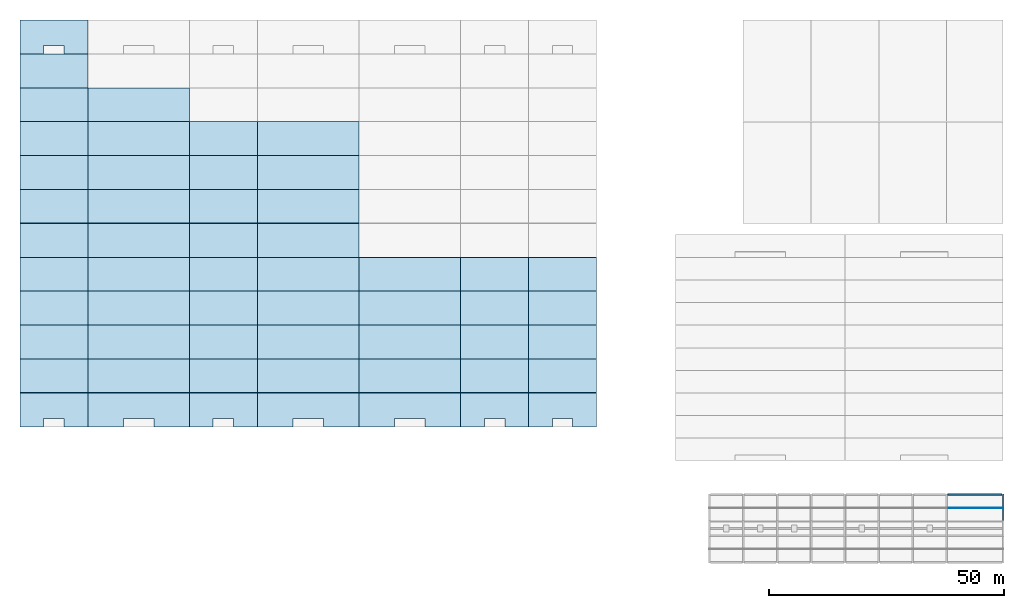
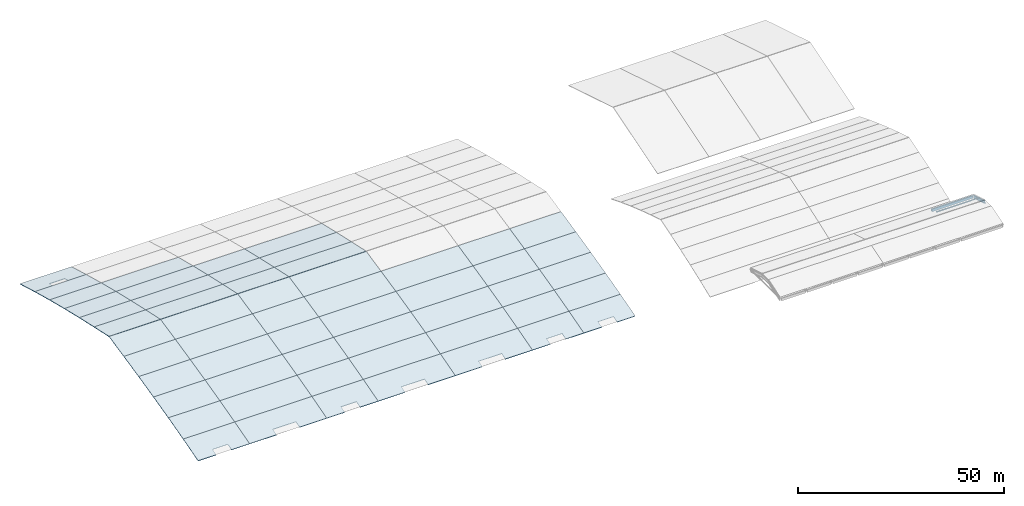
# One storey, part 2 of 7: 55 slabs, 2 beams, 1 member.
"""IFC4 building model written with IfcOpenShell, lengths in metres."""

from ifc_helpers import new_model, si_unit, direction, frame, origin, origin_2d, place, context, subcontext, project, spatial, polyline, rectangle, i_section, outline, extrude, material, layer, layer_set, material_profile, profile_set, type_object, element, save


model = new_model("IFC4")

# Units and contexts
model_context = context("Model", 3, precision=1e-05, world=origin(), true_north=direction((0.0, 1.0)))
body_context = subcontext(model_context, "Body", "Model", "MODEL_VIEW")
ifc_project = project(units=[si_unit("LENGTHUNIT", "METRE"), si_unit("AREAUNIT", "SQUARE_METRE"), si_unit("VOLUMEUNIT", "CUBIC_METRE"), si_unit("PLANEANGLEUNIT", "RADIAN"), si_unit("MASSUNIT", "GRAM", prefix="KILO")], contexts=[model_context])

# Site, building, storey
site_placement = place(None, origin())
site = spatial("IfcSite", under=ifc_project, at=site_placement, CompositionType="ELEMENT")
building_placement = place(site_placement, origin())
building = spatial("IfcBuilding", under=site, at=building_placement, Name="Cendralis Lancet Convention Centre", CompositionType="ELEMENT")
storey_placement = place(building_placement, frame((0.0, 0.0, 29.39990234375)))
storey = spatial("IfcBuildingStorey", under=building, at=storey_placement, Name="RF", CompositionType="ELEMENT", Elevation=29.39990234375)

# Beam
ifc_material_1 = material(Name="Steel S355", Category="steel")
ifc_material_profile_1 = material_profile(ifc_material_1, i_section(OverallWidth=0.320068359375, OverallDepth=0.800048828125, WebThickness=0.013916015625, FlangeThickness=0.02490234375, at=origin_2d()), Name="PG 800x320")
ifc_profile_set_1 = profile_set([ifc_material_profile_1], Name="Steel S355")
beam_type_1 = type_object("IfcBeamType", Name="STR-BM-SG06-EXT", PredefinedType="BEAM", material=ifc_profile_set_1)
beam_1_placement = place(storey_placement, frame((208.800048828125, 30.300048828125, 0.47998046875), z_axis=(0.0, 0.954549064573, -0.298053826219), x_axis=(-1.0, 0.0, 0.0)))
element("IfcBeam", 1, at=beam_1_placement, inside=storey, type_object=beam_type_1, Name="Cordillera Crown Gothic Rafter SG06 N-09", PredefinedType="BEAM", context=body_context, shape_type="SweptSolid", body=[
    extrude(i_section(OverallWidth=0.320068359375, OverallDepth=0.800048828125, WebThickness=0.013916015625, FlangeThickness=0.02490234375, at=origin_2d()), origin(), (0.0, 0.0, 1.0), 5.971435546875),
])

# Member
ifc_material_profile_2 = material_profile(ifc_material_1, i_section(OverallWidth=0.10009765625, OverallDepth=0.199951171875, WebThickness=0.005615234375, FlangeThickness=0.008544921875, FilletRadius=0.011962890625, at=origin_2d()), Name="IPE 200")
ifc_profile_set_2 = profile_set([ifc_material_profile_2], Name="Steel S355")
member_type = type_object("IfcMemberType", Name="STR-PR-PR05", PredefinedType="PURLIN", material=ifc_profile_set_2)
member_placement = place(storey_placement, frame((196.800048828125, 33.14990234375, 0.050048828125), z_axis=(1.0, 0.0, 0.0), x_axis=(0.0, 1.0, 0.0)))
element("IfcMember", 2, at=member_placement, inside=storey, type_object=member_type, Name="Cordillera Crown Roof Purlin PR05 197-33.1", PredefinedType="PURLIN", context=body_context, shape_type="SweptSolid", body=[
    extrude(i_section(OverallWidth=0.10009765625, OverallDepth=0.199951171875, WebThickness=0.005615234375, FlangeThickness=0.008544921875, FilletRadius=0.011962890625, at=origin_2d()), origin(), (0.0, 0.0, 1.0), 12.0),
])

# Beam
ifc_material_2 = material(Name="Concrete G40 (C40/50)", Category="concrete")
ifc_material_profile_3 = material_profile(ifc_material_2, rectangle(XDim=0.35009765625, YDim=0.75, at=origin_2d()), Name="RCB 350x750")
ifc_profile_set_3 = profile_set([ifc_material_profile_3], Name="Concrete G40 (C40/50)")
beam_type_2 = type_object("IfcBeamType", Name="STR-SP-SP01", PredefinedType="SPANDREL", material=ifc_profile_set_3)
beam_2_placement = place(storey_placement, frame((197.050048828125, 36.0, -1.27490234375), z_axis=(1.0, 0.0, 0.0), x_axis=(0.0, 1.0, 0.0)))
element("IfcBeam", 3, at=beam_2_placement, inside=storey, type_object=beam_type_2, Name="RF Beam SP01 #1833", PredefinedType="SPANDREL", context=body_context, shape_type="SweptSolid", body=[
    extrude(rectangle(XDim=0.35009765625, YDim=0.75, at=origin_2d()), origin(), (0.0, 0.0, 1.0), 11.5),
])

# Slabs
ifc_layer = layer(ifc_material_1, 0.159912109375, Name="Steel S355")
ifc_layer_set = layer_set([ifc_layer], Name="Steel S355")
slab_type = type_object("IfcSlabType", Name="STR-SL-VR16", PredefinedType="ROOF", material=ifc_layer_set)
slab_1_placement = place(storey_placement, frame((0.0, 50.39990234375, -15.175537109375), z_axis=(0.0, -0.274652229143, 0.961543630329), x_axis=(1.0, 0.0, 0.0)))
element("IfcSlab", 4, at=slab_1_placement, inside=storey, type_object=slab_type, Name="V1 Vault Roof Deck Slab 01-00", PredefinedType="ROOF", context=body_context, shape_type="SweptSolid", body=[
    extrude(outline(polyline([(0.0, 0.0), (5.0400390625, 0.0), (5.0400390625, 1.8720407180158263), (9.360107421875, 1.8720407180158263), (9.360107421875, 0.0), (14.39990234375, 0.0), (14.39990234375, 7.488162872063305), (0.0, 7.488162872063305), (0.0, 0.0)])), origin(), (0.0, 0.0, -1.0), 0.159912109375),
])
slab_2_placement = place(storey_placement, frame((0.0, 57.60009765625, -13.11962890625), z_axis=(0.0, -0.257623904458, 0.966245271063), x_axis=(1.0, 0.0, 0.0)))
element("IfcSlab", 5, at=slab_2_placement, inside=storey, type_object=slab_type, Name="V1 Vault Roof Deck Slab 01-01", PredefinedType="ROOF", context=body_context, shape_type="SweptSolid", body=[
    extrude(outline(polyline([(0.0, 0.0), (14.39990234375, 0.0), (14.39990234375, 7.451473644940263), (0.0, 7.451473644940263), (0.0, 0.0)])), origin(), (0.0, 0.0, -1.0), 0.159912109375),
])
slab_3_placement = place(storey_placement, frame((0.0, 64.800048828125, -11.20068359375), z_axis=(0.0, -0.241645185965, 0.970364675831), x_axis=(1.0, 0.0, 0.0)))
element("IfcSlab", 6, at=slab_3_placement, inside=storey, type_object=slab_type, Name="V1 Vault Roof Deck Slab 01-02", PredefinedType="ROOF", context=body_context, shape_type="SweptSolid", body=[
    extrude(outline(polyline([(0.0, 0.0), (14.39990234375, 0.0), (14.39990234375, 7.419840551916243), (0.0, 7.419840551916243), (0.0, 0.0)])), origin(), (0.0, 0.0, -1.0), 0.159912109375),
])
slab_4_placement = place(storey_placement, frame((0.0, 72.0, -9.408203125), z_axis=(0.0, -0.228192789739, 0.97361596675), x_axis=(1.0, 0.0, 0.0)))
element("IfcSlab", 7, at=slab_4_placement, inside=storey, type_object=slab_type, Name="V1 Vault Roof Deck Slab 01-03", PredefinedType="ROOF", context=body_context, shape_type="SweptSolid", body=[
    extrude(outline(polyline([(0.0, 0.0), (14.39990234375, 0.0), (14.39990234375, 7.395062753444637), (0.0, 7.395062753444637), (0.0, 0.0)])), origin(), (0.0, 0.0, -1.0), 0.159912109375),
])
slab_5_placement = place(storey_placement, frame((0.0, 79.199951171875, -7.72119140625), z_axis=(0.0, -0.217354480974, 0.976092736168), x_axis=(1.0, 0.0, 0.0)))
element("IfcSlab", 8, at=slab_5_placement, inside=storey, type_object=slab_type, Name="V1 Vault Roof Deck Slab 01-04", PredefinedType="ROOF", context=body_context, shape_type="SweptSolid", body=[
    extrude(outline(polyline([(0.0, 0.0), (14.39990234375, 0.0), (14.39990234375, 7.376298280980387), (0.0, 7.376298280980387), (0.0, 0.0)])), origin(), (0.0, 0.0, -1.0), 0.159912109375),
])
for number, where, z_axis, x_axis, name in (
    (9, (0.0, 86.39990234375, -6.1181640625), (0.0, -0.21070143879, 0.977550460944), (1.0, 0.0, 0.0), "V1 Vault Roof Deck Slab 01-05"),
    (10, (0.0, 93.655029296875, -4.578125), (0.0, 0.21070143879, 0.977550460944), (1.0, 0.0, 0.0), "V1 Vault Roof Deck Slab 01-06"),
):
    element("IfcSlab", number, at=place(storey_placement, frame(where, z_axis=z_axis, x_axis=x_axis)), inside=storey, type_object=slab_type, Name=name, PredefinedType="ROOF", context=body_context, shape_type="SweptSolid", body=[
        extrude(outline(polyline([(0.0, 0.0), (14.39990234375, 0.0), (14.39990234375, 7.309105582488862), (0.0, 7.309105582488862), (0.0, 0.0)])), origin(), (0.0, 0.0, -1.0), 0.159912109375),
    ])
slab_6_placement = place(storey_placement, frame((0.0, 100.800048828125, -6.117919921875), z_axis=(0.0, 0.217354480974, 0.976092736168), x_axis=(1.0, 0.0, 0.0)))
element("IfcSlab", 11, at=slab_6_placement, inside=storey, type_object=slab_type, Name="V1 Vault Roof Deck Slab 01-07", PredefinedType="ROOF", context=body_context, shape_type="SweptSolid", body=[
    extrude(outline(polyline([(0.0, 0.0), (14.39990234375, 0.0), (14.39990234375, 7.376298280980387), (0.0, 7.376298280980387), (0.0, 0.0)])), origin(), (0.0, 0.0, -1.0), 0.159912109375),
])
slab_7_placement = place(storey_placement, frame((0.0, 108.0, -7.720703125), z_axis=(0.0, 0.228192789739, 0.97361596675), x_axis=(1.0, 0.0, 0.0)))
element("IfcSlab", 12, at=slab_7_placement, inside=storey, type_object=slab_type, Name="V1 Vault Roof Deck Slab 01-08", PredefinedType="ROOF", context=body_context, shape_type="SweptSolid", body=[
    extrude(outline(polyline([(0.0, 0.0), (14.39990234375, 0.0), (14.39990234375, 7.395062753444637), (0.0, 7.395062753444637), (0.0, 0.0)])), origin(), (0.0, 0.0, -1.0), 0.159912109375),
])
slab_8_placement = place(storey_placement, frame((0.0, 115.199951171875, -9.40771484375), z_axis=(0.0, 0.241645185965, 0.970364675831), x_axis=(1.0, 0.0, 0.0)))
element("IfcSlab", 13, at=slab_8_placement, inside=storey, type_object=slab_type, Name="V1 Vault Roof Deck Slab 01-09", PredefinedType="ROOF", context=body_context, shape_type="SweptSolid", body=[
    extrude(outline(polyline([(0.0, 0.0), (14.39990234375, 0.0), (14.39990234375, 7.419840551916243), (0.0, 7.419840551916243), (0.0, 0.0)])), origin(), (0.0, 0.0, -1.0), 0.159912109375),
])
slab_9_placement = place(storey_placement, frame((0.0, 122.39990234375, -11.199951171875), z_axis=(0.0, 0.257615748816, 0.966247445514), x_axis=(1.0, 0.0, 0.0)))
element("IfcSlab", 14, at=slab_9_placement, inside=storey, type_object=slab_type, Name="V1 Vault Roof Deck Slab 01-10", PredefinedType="ROOF", context=body_context, shape_type="SweptSolid", body=[
    extrude(outline(polyline([(0.0, 0.0), (14.39990234375, 0.0), (14.39990234375, 7.4517095449300825), (0.0, 7.4517095449300825), (0.0, 0.0)])), origin(), (0.0, 0.0, -1.0), 0.159912109375),
])
slab_10_placement = place(storey_placement, frame((0.0, 129.60009765625, -13.118896484375), z_axis=(0.0, 0.274658745122, 0.961541769102), x_axis=(1.0, 0.0, 0.0)))
element("IfcSlab", 15, at=slab_10_placement, inside=storey, type_object=slab_type, Name="V1 Vault Roof Deck Slab 01-11", PredefinedType="ROOF", context=body_context, shape_type="SweptSolid", body=[
    extrude(outline(polyline([(0.0, 0.0), (5.0400390625, 0.0), (5.0400390625, 1.8718059665643698), (9.360107421875, 1.8718059665643698), (9.360107421875, 0.0), (14.39990234375, 0.0), (14.39990234375, 7.487928120482896), (0.0, 7.487928120482896), (0.0, 0.0)])), origin(), (0.0, 0.0, -1.0), 0.159912109375),
])
slab_11_placement = place(storey_placement, frame((14.39990234375, 50.39990234375, -15.175537109375), z_axis=(0.0, -0.274652229143, 0.961543630329), x_axis=(1.0, 0.0, 0.0)))
element("IfcSlab", 16, at=slab_11_placement, inside=storey, type_object=slab_type, Name="V1 Vault Roof Deck Slab 02-00", PredefinedType="ROOF", context=body_context, shape_type="SweptSolid", body=[
    extrude(outline(polyline([(0.0, 0.0), (7.56005859375, 0.0), (7.56005859375, 1.8720407180158263), (14.0400390625, 1.8720407180158263), (14.0400390625, 0.0), (21.60009765625, 0.0), (21.60009765625, 7.488162872063305), (0.0, 7.488162872063305), (0.0, 0.0)])), origin(), (0.0, 0.0, -1.0), 0.159912109375),
])
slab_12_placement = place(storey_placement, frame((14.39990234375, 57.60009765625, -13.11962890625), z_axis=(0.0, -0.257623904458, 0.966245271063), x_axis=(1.0, 0.0, 0.0)))
element("IfcSlab", 17, at=slab_12_placement, inside=storey, type_object=slab_type, Name="V1 Vault Roof Deck Slab 02-01", PredefinedType="ROOF", context=body_context, shape_type="SweptSolid", body=[
    extrude(outline(polyline([(0.0, 0.0), (21.60009765625, 0.0), (21.60009765625, 7.451473644940264), (0.0, 7.451473644940264), (0.0, 0.0)])), origin(), (0.0, 0.0, -1.0), 0.159912109375),
])
slab_13_placement = place(storey_placement, frame((14.39990234375, 64.800048828125, -11.20068359375), z_axis=(0.0, -0.241645185965, 0.970364675831), x_axis=(1.0, 0.0, 0.0)))
element("IfcSlab", 18, at=slab_13_placement, inside=storey, type_object=slab_type, Name="V1 Vault Roof Deck Slab 02-02", PredefinedType="ROOF", context=body_context, shape_type="SweptSolid", body=[
    extrude(outline(polyline([(0.0, 0.0), (21.60009765625, 0.0), (21.60009765625, 7.419840551916243), (0.0, 7.419840551916243), (0.0, 0.0)])), origin(), (0.0, 0.0, -1.0), 0.159912109375),
])
slab_14_placement = place(storey_placement, frame((14.39990234375, 72.0, -9.408203125), z_axis=(0.0, -0.228192789739, 0.97361596675), x_axis=(1.0, 0.0, 0.0)))
element("IfcSlab", 19, at=slab_14_placement, inside=storey, type_object=slab_type, Name="V1 Vault Roof Deck Slab 02-03", PredefinedType="ROOF", context=body_context, shape_type="SweptSolid", body=[
    extrude(outline(polyline([(0.0, 0.0), (21.60009765625, 0.0), (21.60009765625, 7.395062753444637), (0.0, 7.395062753444637), (0.0, 0.0)])), origin(), (0.0, 0.0, -1.0), 0.159912109375),
])
slab_15_placement = place(storey_placement, frame((14.39990234375, 79.199951171875, -7.72119140625), z_axis=(0.0, -0.217354480974, 0.976092736168), x_axis=(1.0, 0.0, 0.0)))
element("IfcSlab", 20, at=slab_15_placement, inside=storey, type_object=slab_type, Name="V1 Vault Roof Deck Slab 02-04", PredefinedType="ROOF", context=body_context, shape_type="SweptSolid", body=[
    extrude(outline(polyline([(0.0, 0.0), (21.60009765625, 0.0), (21.60009765625, 7.376298280980386), (0.0, 7.376298280980386), (0.0, 0.0)])), origin(), (0.0, 0.0, -1.0), 0.159912109375),
])
for number, where, z_axis, x_axis, name in (
    (21, (14.39990234375, 86.39990234375, -6.1181640625), (0.0, -0.21070143879, 0.977550460944), (1.0, 0.0, 0.0), "V1 Vault Roof Deck Slab 02-05"),
    (22, (14.39990234375, 93.655029296875, -4.578125), (0.0, 0.21070143879, 0.977550460944), (1.0, 0.0, 0.0), "V1 Vault Roof Deck Slab 02-06"),
):
    element("IfcSlab", number, at=place(storey_placement, frame(where, z_axis=z_axis, x_axis=x_axis)), inside=storey, type_object=slab_type, Name=name, PredefinedType="ROOF", context=body_context, shape_type="SweptSolid", body=[
        extrude(outline(polyline([(0.0, 0.0), (21.60009765625, 0.0), (21.60009765625, 7.309105582488862), (0.0, 7.309105582488862), (0.0, 0.0)])), origin(), (0.0, 0.0, -1.0), 0.159912109375),
    ])
slab_16_placement = place(storey_placement, frame((14.39990234375, 100.800048828125, -6.117919921875), z_axis=(0.0, 0.217354480974, 0.976092736168), x_axis=(1.0, 0.0, 0.0)))
element("IfcSlab", 23, at=slab_16_placement, inside=storey, type_object=slab_type, Name="V1 Vault Roof Deck Slab 02-07", PredefinedType="ROOF", context=body_context, shape_type="SweptSolid", body=[
    extrude(outline(polyline([(0.0, 0.0), (21.60009765625, 0.0), (21.60009765625, 7.376298280980386), (0.0, 7.376298280980386), (0.0, 0.0)])), origin(), (0.0, 0.0, -1.0), 0.159912109375),
])
slab_17_placement = place(storey_placement, frame((14.39990234375, 108.0, -7.720703125), z_axis=(0.0, 0.228192789739, 0.97361596675), x_axis=(1.0, 0.0, 0.0)))
element("IfcSlab", 24, at=slab_17_placement, inside=storey, type_object=slab_type, Name="V1 Vault Roof Deck Slab 02-08", PredefinedType="ROOF", context=body_context, shape_type="SweptSolid", body=[
    extrude(outline(polyline([(0.0, 0.0), (21.60009765625, 0.0), (21.60009765625, 7.395062753444637), (0.0, 7.395062753444637), (0.0, 0.0)])), origin(), (0.0, 0.0, -1.0), 0.159912109375),
])
slab_18_placement = place(storey_placement, frame((14.39990234375, 115.199951171875, -9.40771484375), z_axis=(0.0, 0.241645185965, 0.970364675831), x_axis=(1.0, 0.0, 0.0)))
element("IfcSlab", 25, at=slab_18_placement, inside=storey, type_object=slab_type, Name="V1 Vault Roof Deck Slab 02-09", PredefinedType="ROOF", context=body_context, shape_type="SweptSolid", body=[
    extrude(outline(polyline([(0.0, 0.0), (21.60009765625, 0.0), (21.60009765625, 7.419840551916243), (0.0, 7.419840551916243), (0.0, 0.0)])), origin(), (0.0, 0.0, -1.0), 0.159912109375),
])
slab_19_placement = place(storey_placement, frame((36.0, 50.39990234375, -15.175537109375), z_axis=(0.0, -0.274652229143, 0.961543630329), x_axis=(1.0, 0.0, 0.0)))
element("IfcSlab", 26, at=slab_19_placement, inside=storey, type_object=slab_type, Name="V1 Vault Roof Deck Slab 03-00", PredefinedType="ROOF", context=body_context, shape_type="SweptSolid", body=[
    extrude(outline(polyline([(0.0, 0.0), (5.0400390625, 0.0), (5.0400390625, 1.8720407180158263), (9.360107421875, 1.8720407180158263), (9.360107421875, 0.0), (14.39990234375, 0.0), (14.39990234375, 7.488162872063305), (0.0, 7.488162872063305), (0.0, 0.0)])), origin(), (0.0, 0.0, -1.0), 0.159912109375),
])
slab_20_placement = place(storey_placement, frame((36.0, 57.60009765625, -13.11962890625), z_axis=(0.0, -0.257623904458, 0.966245271063), x_axis=(1.0, 0.0, 0.0)))
element("IfcSlab", 27, at=slab_20_placement, inside=storey, type_object=slab_type, Name="V1 Vault Roof Deck Slab 03-01", PredefinedType="ROOF", context=body_context, shape_type="SweptSolid", body=[
    extrude(outline(polyline([(0.0, 0.0), (14.39990234375, 0.0), (14.39990234375, 7.451473644940263), (0.0, 7.451473644940263), (0.0, 0.0)])), origin(), (0.0, 0.0, -1.0), 0.159912109375),
])
slab_21_placement = place(storey_placement, frame((36.0, 64.800048828125, -11.20068359375), z_axis=(0.0, -0.241645185965, 0.970364675831), x_axis=(1.0, 0.0, 0.0)))
element("IfcSlab", 28, at=slab_21_placement, inside=storey, type_object=slab_type, Name="V1 Vault Roof Deck Slab 03-02", PredefinedType="ROOF", context=body_context, shape_type="SweptSolid", body=[
    extrude(outline(polyline([(0.0, 0.0), (14.39990234375, 0.0), (14.39990234375, 7.419840551916243), (0.0, 7.419840551916243), (0.0, 0.0)])), origin(), (0.0, 0.0, -1.0), 0.159912109375),
])
slab_22_placement = place(storey_placement, frame((36.0, 72.0, -9.408203125), z_axis=(0.0, -0.228192789739, 0.97361596675), x_axis=(1.0, 0.0, 0.0)))
element("IfcSlab", 29, at=slab_22_placement, inside=storey, type_object=slab_type, Name="V1 Vault Roof Deck Slab 03-03", PredefinedType="ROOF", context=body_context, shape_type="SweptSolid", body=[
    extrude(outline(polyline([(0.0, 0.0), (14.39990234375, 0.0), (14.39990234375, 7.395062753444637), (0.0, 7.395062753444637), (0.0, 0.0)])), origin(), (0.0, 0.0, -1.0), 0.159912109375),
])
slab_23_placement = place(storey_placement, frame((36.0, 79.199951171875, -7.72119140625), z_axis=(0.0, -0.217354480974, 0.976092736168), x_axis=(1.0, 0.0, 0.0)))
element("IfcSlab", 30, at=slab_23_placement, inside=storey, type_object=slab_type, Name="V1 Vault Roof Deck Slab 03-04", PredefinedType="ROOF", context=body_context, shape_type="SweptSolid", body=[
    extrude(outline(polyline([(0.0, 0.0), (14.39990234375, 0.0), (14.39990234375, 7.376298280980387), (0.0, 7.376298280980387), (0.0, 0.0)])), origin(), (0.0, 0.0, -1.0), 0.159912109375),
])
for number, where, z_axis, x_axis, name in (
    (31, (36.0, 86.39990234375, -6.1181640625), (0.0, -0.21070143879, 0.977550460944), (1.0, 0.0, 0.0), "V1 Vault Roof Deck Slab 03-05"),
    (32, (36.0, 93.655029296875, -4.578125), (0.0, 0.21070143879, 0.977550460944), (1.0, 0.0, 0.0), "V1 Vault Roof Deck Slab 03-06"),
):
    element("IfcSlab", number, at=place(storey_placement, frame(where, z_axis=z_axis, x_axis=x_axis)), inside=storey, type_object=slab_type, Name=name, PredefinedType="ROOF", context=body_context, shape_type="SweptSolid", body=[
        extrude(outline(polyline([(0.0, 0.0), (14.39990234375, 0.0), (14.39990234375, 7.309105582488862), (0.0, 7.309105582488862), (0.0, 0.0)])), origin(), (0.0, 0.0, -1.0), 0.159912109375),
    ])
slab_24_placement = place(storey_placement, frame((36.0, 100.800048828125, -6.117919921875), z_axis=(0.0, 0.217354480974, 0.976092736168), x_axis=(1.0, 0.0, 0.0)))
element("IfcSlab", 33, at=slab_24_placement, inside=storey, type_object=slab_type, Name="V1 Vault Roof Deck Slab 03-07", PredefinedType="ROOF", context=body_context, shape_type="SweptSolid", body=[
    extrude(outline(polyline([(0.0, 0.0), (14.39990234375, 0.0), (14.39990234375, 7.376298280980387), (0.0, 7.376298280980387), (0.0, 0.0)])), origin(), (0.0, 0.0, -1.0), 0.159912109375),
])
slab_25_placement = place(storey_placement, frame((36.0, 108.0, -7.720703125), z_axis=(0.0, 0.228192789739, 0.97361596675), x_axis=(1.0, 0.0, 0.0)))
element("IfcSlab", 34, at=slab_25_placement, inside=storey, type_object=slab_type, Name="V1 Vault Roof Deck Slab 03-08", PredefinedType="ROOF", context=body_context, shape_type="SweptSolid", body=[
    extrude(outline(polyline([(0.0, 0.0), (14.39990234375, 0.0), (14.39990234375, 7.395062753444637), (0.0, 7.395062753444637), (0.0, 0.0)])), origin(), (0.0, 0.0, -1.0), 0.159912109375),
])
slab_26_placement = place(storey_placement, frame((50.39990234375, 50.39990234375, -15.175537109375), z_axis=(0.0, -0.274652229143, 0.961543630329), x_axis=(1.0, 0.0, 0.0)))
element("IfcSlab", 35, at=slab_26_placement, inside=storey, type_object=slab_type, Name="V1 Vault Roof Deck Slab 04-00", PredefinedType="ROOF", context=body_context, shape_type="SweptSolid", body=[
    extrude(outline(polyline([(0.0, 0.0), (7.56005859375, 0.0), (7.56005859375, 1.8720407180158263), (14.0400390625, 1.8720407180158263), (14.0400390625, 0.0), (21.60009765625, 0.0), (21.60009765625, 7.488162872063305), (0.0, 7.488162872063305), (0.0, 0.0)])), origin(), (0.0, 0.0, -1.0), 0.159912109375),
])
slab_27_placement = place(storey_placement, frame((50.39990234375, 57.60009765625, -13.11962890625), z_axis=(0.0, -0.257623904458, 0.966245271063), x_axis=(1.0, 0.0, 0.0)))
element("IfcSlab", 36, at=slab_27_placement, inside=storey, type_object=slab_type, Name="V1 Vault Roof Deck Slab 04-01", PredefinedType="ROOF", context=body_context, shape_type="SweptSolid", body=[
    extrude(outline(polyline([(0.0, 0.0), (21.60009765625, 0.0), (21.60009765625, 7.451473644940264), (0.0, 7.451473644940264), (0.0, 0.0)])), origin(), (0.0, 0.0, -1.0), 0.159912109375),
])
slab_28_placement = place(storey_placement, frame((50.39990234375, 64.800048828125, -11.20068359375), z_axis=(0.0, -0.241645185965, 0.970364675831), x_axis=(1.0, 0.0, 0.0)))
element("IfcSlab", 37, at=slab_28_placement, inside=storey, type_object=slab_type, Name="V1 Vault Roof Deck Slab 04-02", PredefinedType="ROOF", context=body_context, shape_type="SweptSolid", body=[
    extrude(outline(polyline([(0.0, 0.0), (21.60009765625, 0.0), (21.60009765625, 7.419840551916243), (0.0, 7.419840551916243), (0.0, 0.0)])), origin(), (0.0, 0.0, -1.0), 0.159912109375),
])
slab_29_placement = place(storey_placement, frame((50.39990234375, 72.0, -9.408203125), z_axis=(0.0, -0.228192789739, 0.97361596675), x_axis=(1.0, 0.0, 0.0)))
element("IfcSlab", 38, at=slab_29_placement, inside=storey, type_object=slab_type, Name="V1 Vault Roof Deck Slab 04-03", PredefinedType="ROOF", context=body_context, shape_type="SweptSolid", body=[
    extrude(outline(polyline([(0.0, 0.0), (21.60009765625, 0.0), (21.60009765625, 7.395062753444637), (0.0, 7.395062753444637), (0.0, 0.0)])), origin(), (0.0, 0.0, -1.0), 0.159912109375),
])
slab_30_placement = place(storey_placement, frame((50.39990234375, 79.199951171875, -7.72119140625), z_axis=(0.0, -0.217354480974, 0.976092736168), x_axis=(1.0, 0.0, 0.0)))
element("IfcSlab", 39, at=slab_30_placement, inside=storey, type_object=slab_type, Name="V1 Vault Roof Deck Slab 04-04", PredefinedType="ROOF", context=body_context, shape_type="SweptSolid", body=[
    extrude(outline(polyline([(0.0, 0.0), (21.60009765625, 0.0), (21.60009765625, 7.376298280980386), (0.0, 7.376298280980386), (0.0, 0.0)])), origin(), (0.0, 0.0, -1.0), 0.159912109375),
])
for number, where, z_axis, x_axis, name in (
    (40, (50.39990234375, 86.39990234375, -6.1181640625), (0.0, -0.21070143879, 0.977550460944), (1.0, 0.0, 0.0), "V1 Vault Roof Deck Slab 04-05"),
    (41, (50.39990234375, 93.655029296875, -4.578125), (0.0, 0.21070143879, 0.977550460944), (1.0, 0.0, 0.0), "V1 Vault Roof Deck Slab 04-06"),
):
    element("IfcSlab", number, at=place(storey_placement, frame(where, z_axis=z_axis, x_axis=x_axis)), inside=storey, type_object=slab_type, Name=name, PredefinedType="ROOF", context=body_context, shape_type="SweptSolid", body=[
        extrude(outline(polyline([(0.0, 0.0), (21.60009765625, 0.0), (21.60009765625, 7.309105582488862), (0.0, 7.309105582488862), (0.0, 0.0)])), origin(), (0.0, 0.0, -1.0), 0.159912109375),
    ])
slab_31_placement = place(storey_placement, frame((50.39990234375, 100.800048828125, -6.117919921875), z_axis=(0.0, 0.217354480974, 0.976092736168), x_axis=(1.0, 0.0, 0.0)))
element("IfcSlab", 42, at=slab_31_placement, inside=storey, type_object=slab_type, Name="V1 Vault Roof Deck Slab 04-07", PredefinedType="ROOF", context=body_context, shape_type="SweptSolid", body=[
    extrude(outline(polyline([(0.0, 0.0), (21.60009765625, 0.0), (21.60009765625, 7.376298280980386), (0.0, 7.376298280980386), (0.0, 0.0)])), origin(), (0.0, 0.0, -1.0), 0.159912109375),
])
slab_32_placement = place(storey_placement, frame((50.39990234375, 108.0, -7.720703125), z_axis=(0.0, 0.228192789739, 0.97361596675), x_axis=(1.0, 0.0, 0.0)))
element("IfcSlab", 43, at=slab_32_placement, inside=storey, type_object=slab_type, Name="V1 Vault Roof Deck Slab 04-08", PredefinedType="ROOF", context=body_context, shape_type="SweptSolid", body=[
    extrude(outline(polyline([(0.0, 0.0), (21.60009765625, 0.0), (21.60009765625, 7.395062753444637), (0.0, 7.395062753444637), (0.0, 0.0)])), origin(), (0.0, 0.0, -1.0), 0.159912109375),
])
slab_33_placement = place(storey_placement, frame((72.0, 50.39990234375, -15.175537109375), z_axis=(0.0, -0.274652229143, 0.961543630329), x_axis=(1.0, 0.0, 0.0)))
element("IfcSlab", 44, at=slab_33_placement, inside=storey, type_object=slab_type, Name="V1 Vault Roof Deck Slab 05-00", PredefinedType="ROOF", context=body_context, shape_type="SweptSolid", body=[
    extrude(outline(polyline([(0.0, 0.0), (7.56005859375, 0.0), (7.56005859375, 1.8720407180158263), (14.0400390625, 1.8720407180158263), (14.0400390625, 0.0), (21.60009765625, 0.0), (21.60009765625, 7.488162872063305), (0.0, 7.488162872063305), (0.0, 0.0)])), origin(), (0.0, 0.0, -1.0), 0.159912109375),
])
slab_34_placement = place(storey_placement, frame((72.0, 57.60009765625, -13.11962890625), z_axis=(0.0, -0.257623904458, 0.966245271063), x_axis=(1.0, 0.0, 0.0)))
element("IfcSlab", 45, at=slab_34_placement, inside=storey, type_object=slab_type, Name="V1 Vault Roof Deck Slab 05-01", PredefinedType="ROOF", context=body_context, shape_type="SweptSolid", body=[
    extrude(outline(polyline([(0.0, 0.0), (21.60009765625, 0.0), (21.60009765625, 7.451473644940264), (0.0, 7.451473644940264), (0.0, 0.0)])), origin(), (0.0, 0.0, -1.0), 0.159912109375),
])
slab_35_placement = place(storey_placement, frame((72.0, 64.800048828125, -11.20068359375), z_axis=(0.0, -0.241645185965, 0.970364675831), x_axis=(1.0, 0.0, 0.0)))
element("IfcSlab", 46, at=slab_35_placement, inside=storey, type_object=slab_type, Name="V1 Vault Roof Deck Slab 05-02", PredefinedType="ROOF", context=body_context, shape_type="SweptSolid", body=[
    extrude(outline(polyline([(0.0, 0.0), (21.60009765625, 0.0), (21.60009765625, 7.419840551916243), (0.0, 7.419840551916243), (0.0, 0.0)])), origin(), (0.0, 0.0, -1.0), 0.159912109375),
])
slab_36_placement = place(storey_placement, frame((72.0, 72.0, -9.408203125), z_axis=(0.0, -0.228192789739, 0.97361596675), x_axis=(1.0, 0.0, 0.0)))
element("IfcSlab", 47, at=slab_36_placement, inside=storey, type_object=slab_type, Name="V1 Vault Roof Deck Slab 05-03", PredefinedType="ROOF", context=body_context, shape_type="SweptSolid", body=[
    extrude(outline(polyline([(0.0, 0.0), (21.60009765625, 0.0), (21.60009765625, 7.395062753444637), (0.0, 7.395062753444637), (0.0, 0.0)])), origin(), (0.0, 0.0, -1.0), 0.159912109375),
])
slab_37_placement = place(storey_placement, frame((72.0, 79.199951171875, -7.72119140625), z_axis=(0.0, -0.217354480974, 0.976092736168), x_axis=(1.0, 0.0, 0.0)))
element("IfcSlab", 48, at=slab_37_placement, inside=storey, type_object=slab_type, Name="V1 Vault Roof Deck Slab 05-04", PredefinedType="ROOF", context=body_context, shape_type="SweptSolid", body=[
    extrude(outline(polyline([(0.0, 0.0), (21.60009765625, 0.0), (21.60009765625, 7.376298280980386), (0.0, 7.376298280980386), (0.0, 0.0)])), origin(), (0.0, 0.0, -1.0), 0.159912109375),
])
slab_38_placement = place(storey_placement, frame((93.60009765625, 50.39990234375, -15.175537109375), z_axis=(0.0, -0.274652229143, 0.961543630329), x_axis=(1.0, 0.0, 0.0)))
element("IfcSlab", 49, at=slab_38_placement, inside=storey, type_object=slab_type, Name="V1 Vault Roof Deck Slab 06-00", PredefinedType="ROOF", context=body_context, shape_type="SweptSolid", body=[
    extrude(outline(polyline([(0.0, 0.0), (5.039794921875, 0.0), (5.039794921875, 1.8720407180158263), (9.35986328125, 1.8720407180158263), (9.35986328125, 0.0), (14.39990234375, 0.0), (14.39990234375, 7.488162872063305), (0.0, 7.488162872063305), (0.0, 0.0)])), origin(), (0.0, 0.0, -1.0), 0.159912109375),
])
slab_39_placement = place(storey_placement, frame((93.60009765625, 57.60009765625, -13.11962890625), z_axis=(0.0, -0.257623904458, 0.966245271063), x_axis=(1.0, 0.0, 0.0)))
element("IfcSlab", 50, at=slab_39_placement, inside=storey, type_object=slab_type, Name="V1 Vault Roof Deck Slab 06-01", PredefinedType="ROOF", context=body_context, shape_type="SweptSolid", body=[
    extrude(outline(polyline([(0.0, 0.0), (14.39990234375, 0.0), (14.39990234375, 7.451473644940263), (0.0, 7.451473644940263), (0.0, 0.0)])), origin(), (0.0, 0.0, -1.0), 0.159912109375),
])
slab_40_placement = place(storey_placement, frame((93.60009765625, 64.800048828125, -11.20068359375), z_axis=(0.0, -0.241645185965, 0.970364675831), x_axis=(1.0, 0.0, 0.0)))
element("IfcSlab", 51, at=slab_40_placement, inside=storey, type_object=slab_type, Name="V1 Vault Roof Deck Slab 06-02", PredefinedType="ROOF", context=body_context, shape_type="SweptSolid", body=[
    extrude(outline(polyline([(0.0, 0.0), (14.39990234375, 0.0), (14.39990234375, 7.419840551916243), (0.0, 7.419840551916243), (0.0, 0.0)])), origin(), (0.0, 0.0, -1.0), 0.159912109375),
])
slab_41_placement = place(storey_placement, frame((93.60009765625, 72.0, -9.408203125), z_axis=(0.0, -0.228192789739, 0.97361596675), x_axis=(1.0, 0.0, 0.0)))
element("IfcSlab", 52, at=slab_41_placement, inside=storey, type_object=slab_type, Name="V1 Vault Roof Deck Slab 06-03", PredefinedType="ROOF", context=body_context, shape_type="SweptSolid", body=[
    extrude(outline(polyline([(0.0, 0.0), (14.39990234375, 0.0), (14.39990234375, 7.395062753444637), (0.0, 7.395062753444637), (0.0, 0.0)])), origin(), (0.0, 0.0, -1.0), 0.159912109375),
])
slab_42_placement = place(storey_placement, frame((93.60009765625, 79.199951171875, -7.72119140625), z_axis=(0.0, -0.217354480974, 0.976092736168), x_axis=(1.0, 0.0, 0.0)))
element("IfcSlab", 53, at=slab_42_placement, inside=storey, type_object=slab_type, Name="V1 Vault Roof Deck Slab 06-04", PredefinedType="ROOF", context=body_context, shape_type="SweptSolid", body=[
    extrude(outline(polyline([(0.0, 0.0), (14.39990234375, 0.0), (14.39990234375, 7.376298280980387), (0.0, 7.376298280980387), (0.0, 0.0)])), origin(), (0.0, 0.0, -1.0), 0.159912109375),
])
slab_43_placement = place(storey_placement, frame((108.0, 50.39990234375, -15.175537109375), z_axis=(0.0, -0.274652229143, 0.961543630329), x_axis=(1.0, 0.0, 0.0)))
element("IfcSlab", 54, at=slab_43_placement, inside=storey, type_object=slab_type, Name="V1 Vault Roof Deck Slab 07-00", PredefinedType="ROOF", context=body_context, shape_type="SweptSolid", body=[
    extrude(outline(polyline([(0.0, 0.0), (5.0400390625, 0.0), (5.0400390625, 1.8720407180158263), (9.360107421875, 1.8720407180158263), (9.360107421875, 0.0), (14.39990234375, 0.0), (14.39990234375, 7.488162872063305), (0.0, 7.488162872063305), (0.0, 0.0)])), origin(), (0.0, 0.0, -1.0), 0.159912109375),
])
slab_44_placement = place(storey_placement, frame((108.0, 57.60009765625, -13.11962890625), z_axis=(0.0, -0.257623904458, 0.966245271063), x_axis=(1.0, 0.0, 0.0)))
element("IfcSlab", 55, at=slab_44_placement, inside=storey, type_object=slab_type, Name="V1 Vault Roof Deck Slab 07-01", PredefinedType="ROOF", context=body_context, shape_type="SweptSolid", body=[
    extrude(outline(polyline([(0.0, 0.0), (14.39990234375, 0.0), (14.39990234375, 7.451473644940263), (0.0, 7.451473644940263), (0.0, 0.0)])), origin(), (0.0, 0.0, -1.0), 0.159912109375),
])
slab_45_placement = place(storey_placement, frame((108.0, 64.800048828125, -11.20068359375), z_axis=(0.0, -0.241645185965, 0.970364675831), x_axis=(1.0, 0.0, 0.0)))
element("IfcSlab", 56, at=slab_45_placement, inside=storey, type_object=slab_type, Name="V1 Vault Roof Deck Slab 07-02", PredefinedType="ROOF", context=body_context, shape_type="SweptSolid", body=[
    extrude(outline(polyline([(0.0, 0.0), (14.39990234375, 0.0), (14.39990234375, 7.419840551916243), (0.0, 7.419840551916243), (0.0, 0.0)])), origin(), (0.0, 0.0, -1.0), 0.159912109375),
])
slab_46_placement = place(storey_placement, frame((108.0, 72.0, -9.408203125), z_axis=(0.0, -0.228192789739, 0.97361596675), x_axis=(1.0, 0.0, 0.0)))
element("IfcSlab", 57, at=slab_46_placement, inside=storey, type_object=slab_type, Name="V1 Vault Roof Deck Slab 07-03", PredefinedType="ROOF", context=body_context, shape_type="SweptSolid", body=[
    extrude(outline(polyline([(0.0, 0.0), (14.39990234375, 0.0), (14.39990234375, 7.395062753444637), (0.0, 7.395062753444637), (0.0, 0.0)])), origin(), (0.0, 0.0, -1.0), 0.159912109375),
])
slab_47_placement = place(storey_placement, frame((108.0, 79.199951171875, -7.72119140625), z_axis=(0.0, -0.217354480974, 0.976092736168), x_axis=(1.0, 0.0, 0.0)))
element("IfcSlab", 58, at=slab_47_placement, inside=storey, type_object=slab_type, Name="V1 Vault Roof Deck Slab 07-04", PredefinedType="ROOF", context=body_context, shape_type="SweptSolid", body=[
    extrude(outline(polyline([(0.0, 0.0), (14.39990234375, 0.0), (14.39990234375, 7.376298280980387), (0.0, 7.376298280980387), (0.0, 0.0)])), origin(), (0.0, 0.0, -1.0), 0.159912109375),
])

save(model, "model.ifc")
